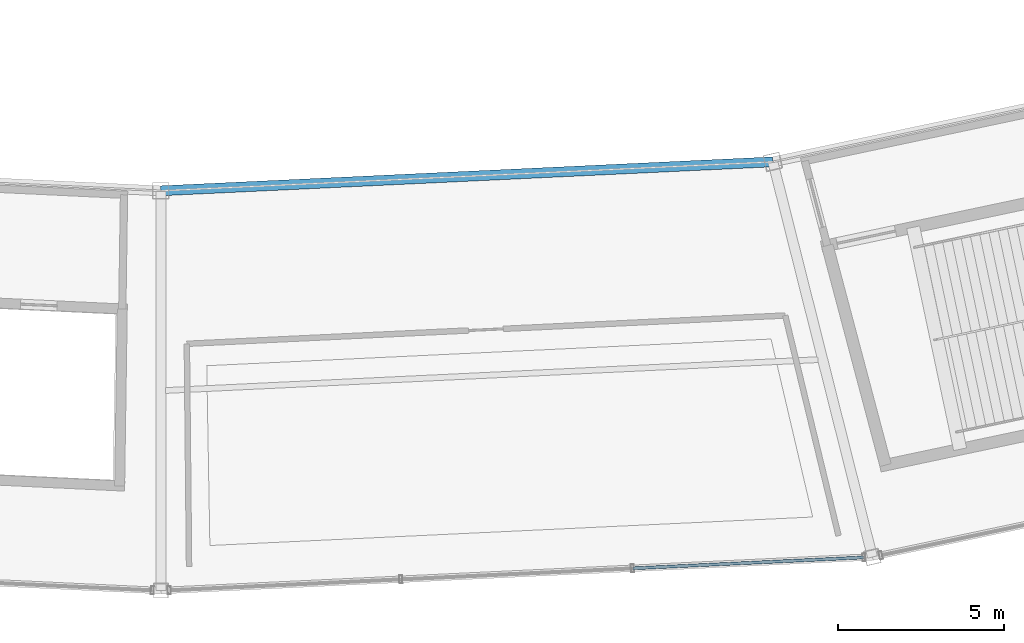
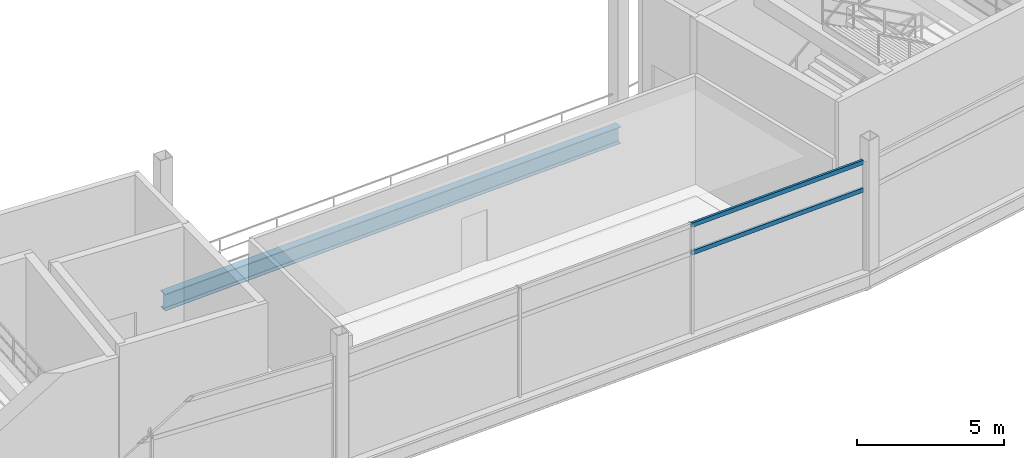
# One storey, part 31 of 103: 2 members, 1 beam, 1 element without a shape of its own.
"""IFC4 building model written with IfcOpenShell, lengths in metres."""

from ifc_helpers import new_model, si_unit, direction, frame, origin, origin_2d, place, context, subcontext, project, spatial, hollow_rectangle, i_section, extrude, material, layer, layer_set, material_profile, profile_set, type_object, element, aggregate, save


model = new_model("IFC4")

# Units and contexts
model_context = context("Model", 3, precision=1e-05, world=origin(), true_north=direction((0.0, 1.0)))
body_context = subcontext(model_context, "Body", "Model", "MODEL_VIEW")
ifc_project = project(units=[si_unit("LENGTHUNIT", "METRE"), si_unit("AREAUNIT", "SQUARE_METRE"), si_unit("VOLUMEUNIT", "CUBIC_METRE"), si_unit("PLANEANGLEUNIT", "RADIAN"), si_unit("MASSUNIT", "GRAM", prefix="KILO")], contexts=[model_context])

# Site, building, storey
site_placement = place(None, origin())
site = spatial("IfcSite", under=ifc_project, at=site_placement, CompositionType="ELEMENT")
building_placement = place(site_placement, origin())
building = spatial("IfcBuilding", under=site, at=building_placement, Name="Kazemori Nagisa Stadium", CompositionType="ELEMENT")
storey_placement = place(building_placement, frame((0.0, 0.0, 25.840087890625)))
storey = spatial("IfcBuildingStorey", under=building, at=storey_placement, Name="L05", CompositionType="ELEMENT", Elevation=25.840087890625)

# Beam
ifc_material_1 = material(Name="Steel SN490B", Category="steel")
ifc_material_profile_1 = material_profile(ifc_material_1, i_section(OverallWidth=0.300048828125, OverallDepth=0.699951171875, WebThickness=0.012939453125, FlangeThickness=0.02392578125, FilletRadius=0.01806640625, at=origin_2d()), Name="H-700x300x13x24")
ifc_profile_set_1 = profile_set([ifc_material_profile_1], Name="Steel SN490B")
beam_type = type_object("IfcBeamType", Name="Beam_BG-H700", PredefinedType="BEAM", material=ifc_profile_set_1)
beam_placement = place(storey_placement, frame((123.0, 28.0400390625, -0.610107421875), z_axis=(0.9988839804, 0.047231278829, 0.0), x_axis=(-0.047231278829, 0.9988839804, 0.0)))
element("IfcBeam", 1, at=beam_placement, inside=storey, type_object=beam_type, Name="Ring girder BG-H700 L05 R2-22", PredefinedType="BEAM", context=body_context, shape_type="SweptSolid", body=[
    extrude(i_section(OverallWidth=0.300048828125, OverallDepth=0.699951171875, WebThickness=0.012939453125, FlangeThickness=0.02392578125, FilletRadius=0.01806640625, at=origin_2d()), origin(), (0.0, 0.0, 1.0), 18.4482421875),
])

# Curtain wall, members
ifc_material_2 = material(Name="Anodised aluminium 6063-T5", Category="aluminium")
ifc_layer = layer(ifc_material_2, 0.239990234375, Name="Anodised aluminium 6063-T5", Category="aluminium")
ifc_layer_set = layer_set([ifc_layer], Name="Anodised aluminium 6063-T5")
curtain_wall_type = type_object("IfcCurtainWallType", Name="CW_L05R3_105", PredefinedType="USERDEFINED", material=ifc_layer_set)
curtain_wall_placement = place(storey_placement, origin())
curtain_wall = element("IfcCurtainWall", 2, at=curtain_wall_placement, inside=storey, type_object=curtain_wall_type, Name="Unitised curtain wall CW-L05R3-105 L05", ObjectType="UNITISED CURTAIN WALL", PredefinedType="USERDEFINED")
ifc_material_3 = material(Name="Aluminium 6063-T5 anodised", Category="aluminium")
ifc_material_profile_2 = material_profile(ifc_material_3, hollow_rectangle(XDim=0.090087890625, YDim=0.179931640625, WallThickness=0.0048828125, at=origin_2d()), Name="ALU-TRAN-90x180x5")
ifc_profile_set_2 = profile_set([ifc_material_profile_2], Name="Aluminium 6063-T5 anodised")
member_type = type_object("IfcMemberType", Name="Transom_T03", PredefinedType="USERDEFINED", material=ifc_profile_set_2)
member_1_placement = place(storey_placement, frame((137.22021484375, 16.67236328125, 3.306884765625), z_axis=(0.998883524201, 0.047240925908, 0.0), x_axis=(-0.047240925908, 0.998883524201, 0.0)))
member_1 = element("IfcMember", 3, at=member_1_placement, type_object=member_type, Name="Curtain wall transom CW-L05R3-105-T3-mid", ObjectType="TRANSOM", PredefinedType="USERDEFINED", context=body_context, shape_type="SweptSolid", body=[
    extrude(hollow_rectangle(XDim=0.090087890625, YDim=0.179931640625, WallThickness=0.0048828125, at=origin_2d()), origin(), (0.0, 0.0, 1.0), 6.940673828125),
])
member_2_placement = place(storey_placement, frame((137.22021484375, 16.67236328125, 4.4599609375), z_axis=(0.998883524201, 0.047240925908, 0.0), x_axis=(-0.047240925908, 0.998883524201, 0.0)))
member_2 = element("IfcMember", 4, at=member_2_placement, type_object=member_type, Name="Curtain wall transom CW-L05R3-105-T3-head", ObjectType="TRANSOM", PredefinedType="USERDEFINED", context=body_context, shape_type="SweptSolid", body=[
    extrude(hollow_rectangle(XDim=0.090087890625, YDim=0.179931640625, WallThickness=0.0048828125, at=origin_2d()), origin(), (0.0, 0.0, 1.0), 6.940673828125),
])
aggregate(curtain_wall, [member_1, member_2])

save(model, "model.ifc")
